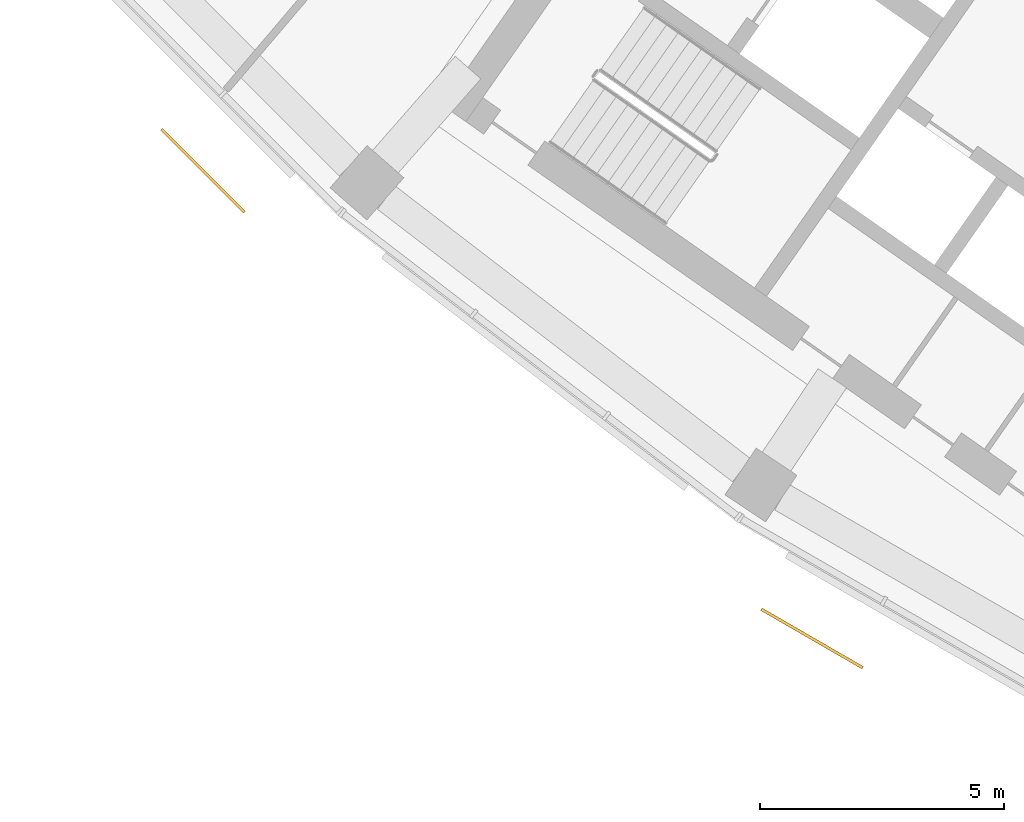
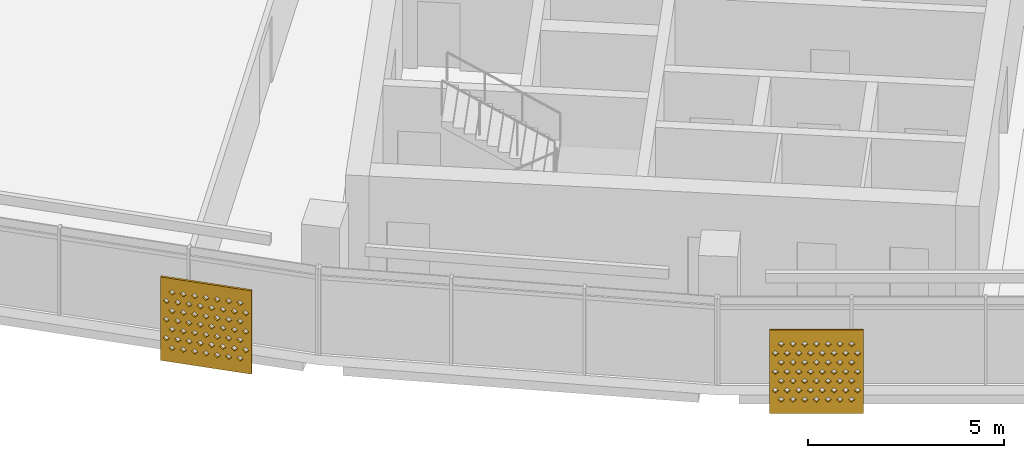
# One storey, part 23 of 28: 2 shading devices.
"""IFC4 building model written with IfcOpenShell, lengths in metres."""

from ifc_helpers import new_model, si_unit, direction, frame, origin, place, context, subcontext, project, spatial, polyline, outline, extrude, material, material_profile, profile_set, type_object, element, save


model = new_model("IFC4")

# Units and contexts
model_context = context("Model", 3, precision=1e-05, world=origin(), true_north=direction((0.0, 1.0)))
body_context = subcontext(model_context, "Body", "Model", "MODEL_VIEW")
ifc_project = project(units=[si_unit("LENGTHUNIT", "METRE"), si_unit("AREAUNIT", "SQUARE_METRE"), si_unit("VOLUMEUNIT", "CUBIC_METRE"), si_unit("PLANEANGLEUNIT", "RADIAN"), si_unit("MASSUNIT", "GRAM", prefix="KILO")], contexts=[model_context])

# Site, building, storey
site_placement = place(None, origin())
site = spatial("IfcSite", under=ifc_project, at=site_placement, CompositionType="ELEMENT")
building_placement = place(site_placement, origin())
building = spatial("IfcBuilding", under=site, at=building_placement, Name="Qamariyya Broadcast Tower", CompositionType="ELEMENT")
storey_placement = place(building_placement, frame((0.0, 0.0, 230.300048828125)))
storey = spatial("IfcBuildingStorey", under=building, at=storey_placement, Name="L55", CompositionType="ELEMENT", Elevation=230.300048828125)

# Shading devices
ifc_material = material(Name="Perforated glazed terracotta", Category="masonry")
ifc_material_profile = material_profile(ifc_material, outline(polyline([(-1.199951171875, -1.300048828125), (1.199951171875, -1.300048828125), (1.199951171875, 1.300048828125), (-1.199951171875, 1.300048828125), (-1.199951171875, -1.300048828125)]), holes=[polyline([(-0.81494140625, -0.86669921875), (-0.89990234375, -0.78173828125), (-0.985107421875, -0.86669921875), (-0.89990234375, -0.95166015625), (-0.81494140625, -0.86669921875)]), polyline([(-0.514892578125, -0.86669921875), (-0.60009765625, -0.78173828125), (-0.68505859375, -0.86669921875), (-0.60009765625, -0.95166015625), (-0.514892578125, -0.86669921875)]), polyline([(-0.215087890625, -0.86669921875), (-0.300048828125, -0.78173828125), (-0.385009765625, -0.86669921875), (-0.300048828125, -0.95166015625), (-0.215087890625, -0.86669921875)]), polyline([(0.0849609375, -0.86669921875), (0.0, -0.78173828125), (-0.0849609375, -0.86669921875), (0.0, -0.95166015625), (0.0849609375, -0.86669921875)]), polyline([(0.385009765625, -0.86669921875), (0.300048828125, -0.78173828125), (0.215087890625, -0.86669921875), (0.300048828125, -0.95166015625), (0.385009765625, -0.86669921875)]), polyline([(0.68505859375, -0.86669921875), (0.60009765625, -0.78173828125), (0.514892578125, -0.86669921875), (0.60009765625, -0.95166015625), (0.68505859375, -0.86669921875)]), polyline([(0.985107421875, -0.86669921875), (0.89990234375, -0.78173828125), (0.81494140625, -0.86669921875), (0.89990234375, -0.95166015625), (0.985107421875, -0.86669921875)]), polyline([(-0.965087890625, -0.577880859375), (-1.050048828125, -0.49267578125), (-1.135009765625, -0.577880859375), (-1.050048828125, -0.662841796875), (-0.965087890625, -0.577880859375)]), polyline([(-0.6650390625, -0.577880859375), (-0.75, -0.49267578125), (-0.8349609375, -0.577880859375), (-0.75, -0.662841796875), (-0.6650390625, -0.577880859375)]), polyline([(-0.364990234375, -0.577880859375), (-0.449951171875, -0.49267578125), (-0.534912109375, -0.577880859375), (-0.449951171875, -0.662841796875), (-0.364990234375, -0.577880859375)]), polyline([(-0.06494140625, -0.577880859375), (-0.14990234375, -0.49267578125), (-0.235107421875, -0.577880859375), (-0.14990234375, -0.662841796875), (-0.06494140625, -0.577880859375)]), polyline([(0.235107421875, -0.577880859375), (0.14990234375, -0.49267578125), (0.06494140625, -0.577880859375), (0.14990234375, -0.662841796875), (0.235107421875, -0.577880859375)]), polyline([(0.534912109375, -0.577880859375), (0.449951171875, -0.49267578125), (0.364990234375, -0.577880859375), (0.449951171875, -0.662841796875), (0.534912109375, -0.577880859375)]), polyline([(0.8349609375, -0.577880859375), (0.75, -0.49267578125), (0.6650390625, -0.577880859375), (0.75, -0.662841796875), (0.8349609375, -0.577880859375)]), polyline([(1.135009765625, -0.577880859375), (1.050048828125, -0.49267578125), (0.965087890625, -0.577880859375), (1.050048828125, -0.662841796875), (1.135009765625, -0.577880859375)]), polyline([(-0.81494140625, -0.288818359375), (-0.89990234375, -0.203857421875), (-0.985107421875, -0.288818359375), (-0.89990234375, -0.373779296875), (-0.81494140625, -0.288818359375)]), polyline([(-0.514892578125, -0.288818359375), (-0.60009765625, -0.203857421875), (-0.68505859375, -0.288818359375), (-0.60009765625, -0.373779296875), (-0.514892578125, -0.288818359375)]), polyline([(-0.215087890625, -0.288818359375), (-0.300048828125, -0.203857421875), (-0.385009765625, -0.288818359375), (-0.300048828125, -0.373779296875), (-0.215087890625, -0.288818359375)]), polyline([(0.0849609375, -0.288818359375), (0.0, -0.203857421875), (-0.0849609375, -0.288818359375), (0.0, -0.373779296875), (0.0849609375, -0.288818359375)]), polyline([(0.385009765625, -0.288818359375), (0.300048828125, -0.203857421875), (0.215087890625, -0.288818359375), (0.300048828125, -0.373779296875), (0.385009765625, -0.288818359375)]), polyline([(0.68505859375, -0.288818359375), (0.60009765625, -0.203857421875), (0.514892578125, -0.288818359375), (0.60009765625, -0.373779296875), (0.68505859375, -0.288818359375)]), polyline([(0.985107421875, -0.288818359375), (0.89990234375, -0.203857421875), (0.81494140625, -0.288818359375), (0.89990234375, -0.373779296875), (0.985107421875, -0.288818359375)]), polyline([(-0.965087890625, 0.0), (-1.050048828125, 0.0849609375), (-1.135009765625, 0.0), (-1.050048828125, -0.0849609375), (-0.965087890625, 0.0)]), polyline([(-0.6650390625, 0.0), (-0.75, 0.0849609375), (-0.8349609375, 0.0), (-0.75, -0.0849609375), (-0.6650390625, 0.0)]), polyline([(-0.364990234375, 0.0), (-0.449951171875, 0.0849609375), (-0.534912109375, 0.0), (-0.449951171875, -0.0849609375), (-0.364990234375, 0.0)]), polyline([(-0.06494140625, 0.0), (-0.14990234375, 0.0849609375), (-0.235107421875, 0.0), (-0.14990234375, -0.0849609375), (-0.06494140625, 0.0)]), polyline([(0.235107421875, 0.0), (0.14990234375, 0.0849609375), (0.06494140625, 0.0), (0.14990234375, -0.0849609375), (0.235107421875, 0.0)]), polyline([(0.534912109375, 0.0), (0.449951171875, 0.0849609375), (0.364990234375, 0.0), (0.449951171875, -0.0849609375), (0.534912109375, 0.0)]), polyline([(0.8349609375, 0.0), (0.75, 0.0849609375), (0.6650390625, 0.0), (0.75, -0.0849609375), (0.8349609375, 0.0)]), polyline([(1.135009765625, 0.0), (1.050048828125, 0.0849609375), (0.965087890625, 0.0), (1.050048828125, -0.0849609375), (1.135009765625, 0.0)]), polyline([(-0.81494140625, 0.288818359375), (-0.89990234375, 0.373779296875), (-0.985107421875, 0.288818359375), (-0.89990234375, 0.203857421875), (-0.81494140625, 0.288818359375)]), polyline([(-0.514892578125, 0.288818359375), (-0.60009765625, 0.373779296875), (-0.68505859375, 0.288818359375), (-0.60009765625, 0.203857421875), (-0.514892578125, 0.288818359375)]), polyline([(-0.215087890625, 0.288818359375), (-0.300048828125, 0.373779296875), (-0.385009765625, 0.288818359375), (-0.300048828125, 0.203857421875), (-0.215087890625, 0.288818359375)]), polyline([(0.0849609375, 0.288818359375), (0.0, 0.373779296875), (-0.0849609375, 0.288818359375), (0.0, 0.203857421875), (0.0849609375, 0.288818359375)]), polyline([(0.385009765625, 0.288818359375), (0.300048828125, 0.373779296875), (0.215087890625, 0.288818359375), (0.300048828125, 0.203857421875), (0.385009765625, 0.288818359375)]), polyline([(0.68505859375, 0.288818359375), (0.60009765625, 0.373779296875), (0.514892578125, 0.288818359375), (0.60009765625, 0.203857421875), (0.68505859375, 0.288818359375)]), polyline([(0.985107421875, 0.288818359375), (0.89990234375, 0.373779296875), (0.81494140625, 0.288818359375), (0.89990234375, 0.203857421875), (0.985107421875, 0.288818359375)]), polyline([(-0.965087890625, 0.577880859375), (-1.050048828125, 0.662841796875), (-1.135009765625, 0.577880859375), (-1.050048828125, 0.49267578125), (-0.965087890625, 0.577880859375)]), polyline([(-0.6650390625, 0.577880859375), (-0.75, 0.662841796875), (-0.8349609375, 0.577880859375), (-0.75, 0.49267578125), (-0.6650390625, 0.577880859375)]), polyline([(-0.364990234375, 0.577880859375), (-0.449951171875, 0.662841796875), (-0.534912109375, 0.577880859375), (-0.449951171875, 0.49267578125), (-0.364990234375, 0.577880859375)]), polyline([(-0.06494140625, 0.577880859375), (-0.14990234375, 0.662841796875), (-0.235107421875, 0.577880859375), (-0.14990234375, 0.49267578125), (-0.06494140625, 0.577880859375)]), polyline([(0.235107421875, 0.577880859375), (0.14990234375, 0.662841796875), (0.06494140625, 0.577880859375), (0.14990234375, 0.49267578125), (0.235107421875, 0.577880859375)]), polyline([(0.534912109375, 0.577880859375), (0.449951171875, 0.662841796875), (0.364990234375, 0.577880859375), (0.449951171875, 0.49267578125), (0.534912109375, 0.577880859375)]), polyline([(0.8349609375, 0.577880859375), (0.75, 0.662841796875), (0.6650390625, 0.577880859375), (0.75, 0.49267578125), (0.8349609375, 0.577880859375)]), polyline([(1.135009765625, 0.577880859375), (1.050048828125, 0.662841796875), (0.965087890625, 0.577880859375), (1.050048828125, 0.49267578125), (1.135009765625, 0.577880859375)]), polyline([(-0.81494140625, 0.86669921875), (-0.89990234375, 0.95166015625), (-0.985107421875, 0.86669921875), (-0.89990234375, 0.78173828125), (-0.81494140625, 0.86669921875)]), polyline([(-0.514892578125, 0.86669921875), (-0.60009765625, 0.95166015625), (-0.68505859375, 0.86669921875), (-0.60009765625, 0.78173828125), (-0.514892578125, 0.86669921875)]), polyline([(-0.215087890625, 0.86669921875), (-0.300048828125, 0.95166015625), (-0.385009765625, 0.86669921875), (-0.300048828125, 0.78173828125), (-0.215087890625, 0.86669921875)]), polyline([(0.0849609375, 0.86669921875), (0.0, 0.95166015625), (-0.0849609375, 0.86669921875), (0.0, 0.78173828125), (0.0849609375, 0.86669921875)]), polyline([(0.385009765625, 0.86669921875), (0.300048828125, 0.95166015625), (0.215087890625, 0.86669921875), (0.300048828125, 0.78173828125), (0.385009765625, 0.86669921875)]), polyline([(0.68505859375, 0.86669921875), (0.60009765625, 0.95166015625), (0.514892578125, 0.86669921875), (0.60009765625, 0.78173828125), (0.68505859375, 0.86669921875)]), polyline([(0.985107421875, 0.86669921875), (0.89990234375, 0.95166015625), (0.81494140625, 0.86669921875), (0.89990234375, 0.78173828125), (0.985107421875, 0.86669921875)])]))
ifc_profile_set = profile_set([ifc_material_profile], Name="Perforated glazed terracotta")
shading_device_type = type_object("IfcShadingDeviceType", Name="Perforated terracotta screen 2400 x 2600", PredefinedType="USERDEFINED", material=ifc_profile_set)
shading_device_1_placement = place(storey_placement, frame((-54.599609375, -58.18603515625, 1.349853515625), z_axis=(-0.707106781187, -0.707106781187, 0.0), x_axis=(0.707106781187, -0.707106781187, 0.0)))
element("IfcShadingDevice", 1, at=shading_device_1_placement, inside=storey, type_object=shading_device_type, Name="e-scr-L55-02-2", ObjectType="SCREEN", PredefinedType="USERDEFINED", context=body_context, shape_type="SweptSolid", body=[
    extrude(outline(polyline([(-1.199951171875, -1.300048828125), (1.199951171875, -1.300048828125), (1.199951171875, 1.300048828125), (-1.199951171875, 1.300048828125), (-1.199951171875, -1.300048828125)]), holes=[polyline([(-0.81494140625, -0.86669921875), (-0.89990234375, -0.78173828125), (-0.985107421875, -0.86669921875), (-0.89990234375, -0.95166015625), (-0.81494140625, -0.86669921875)]), polyline([(-0.514892578125, -0.86669921875), (-0.60009765625, -0.78173828125), (-0.68505859375, -0.86669921875), (-0.60009765625, -0.95166015625), (-0.514892578125, -0.86669921875)]), polyline([(-0.215087890625, -0.86669921875), (-0.300048828125, -0.78173828125), (-0.385009765625, -0.86669921875), (-0.300048828125, -0.95166015625), (-0.215087890625, -0.86669921875)]), polyline([(0.0849609375, -0.86669921875), (0.0, -0.78173828125), (-0.0849609375, -0.86669921875), (0.0, -0.95166015625), (0.0849609375, -0.86669921875)]), polyline([(0.385009765625, -0.86669921875), (0.300048828125, -0.78173828125), (0.215087890625, -0.86669921875), (0.300048828125, -0.95166015625), (0.385009765625, -0.86669921875)]), polyline([(0.68505859375, -0.86669921875), (0.60009765625, -0.78173828125), (0.514892578125, -0.86669921875), (0.60009765625, -0.95166015625), (0.68505859375, -0.86669921875)]), polyline([(0.985107421875, -0.86669921875), (0.89990234375, -0.78173828125), (0.81494140625, -0.86669921875), (0.89990234375, -0.95166015625), (0.985107421875, -0.86669921875)]), polyline([(-0.965087890625, -0.577880859375), (-1.050048828125, -0.49267578125), (-1.135009765625, -0.577880859375), (-1.050048828125, -0.662841796875), (-0.965087890625, -0.577880859375)]), polyline([(-0.6650390625, -0.577880859375), (-0.75, -0.49267578125), (-0.8349609375, -0.577880859375), (-0.75, -0.662841796875), (-0.6650390625, -0.577880859375)]), polyline([(-0.364990234375, -0.577880859375), (-0.449951171875, -0.49267578125), (-0.534912109375, -0.577880859375), (-0.449951171875, -0.662841796875), (-0.364990234375, -0.577880859375)]), polyline([(-0.06494140625, -0.577880859375), (-0.14990234375, -0.49267578125), (-0.235107421875, -0.577880859375), (-0.14990234375, -0.662841796875), (-0.06494140625, -0.577880859375)]), polyline([(0.235107421875, -0.577880859375), (0.14990234375, -0.49267578125), (0.06494140625, -0.577880859375), (0.14990234375, -0.662841796875), (0.235107421875, -0.577880859375)]), polyline([(0.534912109375, -0.577880859375), (0.449951171875, -0.49267578125), (0.364990234375, -0.577880859375), (0.449951171875, -0.662841796875), (0.534912109375, -0.577880859375)]), polyline([(0.8349609375, -0.577880859375), (0.75, -0.49267578125), (0.6650390625, -0.577880859375), (0.75, -0.662841796875), (0.8349609375, -0.577880859375)]), polyline([(1.135009765625, -0.577880859375), (1.050048828125, -0.49267578125), (0.965087890625, -0.577880859375), (1.050048828125, -0.662841796875), (1.135009765625, -0.577880859375)]), polyline([(-0.81494140625, -0.288818359375), (-0.89990234375, -0.203857421875), (-0.985107421875, -0.288818359375), (-0.89990234375, -0.373779296875), (-0.81494140625, -0.288818359375)]), polyline([(-0.514892578125, -0.288818359375), (-0.60009765625, -0.203857421875), (-0.68505859375, -0.288818359375), (-0.60009765625, -0.373779296875), (-0.514892578125, -0.288818359375)]), polyline([(-0.215087890625, -0.288818359375), (-0.300048828125, -0.203857421875), (-0.385009765625, -0.288818359375), (-0.300048828125, -0.373779296875), (-0.215087890625, -0.288818359375)]), polyline([(0.0849609375, -0.288818359375), (0.0, -0.203857421875), (-0.0849609375, -0.288818359375), (0.0, -0.373779296875), (0.0849609375, -0.288818359375)]), polyline([(0.385009765625, -0.288818359375), (0.300048828125, -0.203857421875), (0.215087890625, -0.288818359375), (0.300048828125, -0.373779296875), (0.385009765625, -0.288818359375)]), polyline([(0.68505859375, -0.288818359375), (0.60009765625, -0.203857421875), (0.514892578125, -0.288818359375), (0.60009765625, -0.373779296875), (0.68505859375, -0.288818359375)]), polyline([(0.985107421875, -0.288818359375), (0.89990234375, -0.203857421875), (0.81494140625, -0.288818359375), (0.89990234375, -0.373779296875), (0.985107421875, -0.288818359375)]), polyline([(-0.965087890625, 0.0), (-1.050048828125, 0.0849609375), (-1.135009765625, 0.0), (-1.050048828125, -0.0849609375), (-0.965087890625, 0.0)]), polyline([(-0.6650390625, 0.0), (-0.75, 0.0849609375), (-0.8349609375, 0.0), (-0.75, -0.0849609375), (-0.6650390625, 0.0)]), polyline([(-0.364990234375, 0.0), (-0.449951171875, 0.0849609375), (-0.534912109375, 0.0), (-0.449951171875, -0.0849609375), (-0.364990234375, 0.0)]), polyline([(-0.06494140625, 0.0), (-0.14990234375, 0.0849609375), (-0.235107421875, 0.0), (-0.14990234375, -0.0849609375), (-0.06494140625, 0.0)]), polyline([(0.235107421875, 0.0), (0.14990234375, 0.0849609375), (0.06494140625, 0.0), (0.14990234375, -0.0849609375), (0.235107421875, 0.0)]), polyline([(0.534912109375, 0.0), (0.449951171875, 0.0849609375), (0.364990234375, 0.0), (0.449951171875, -0.0849609375), (0.534912109375, 0.0)]), polyline([(0.8349609375, 0.0), (0.75, 0.0849609375), (0.6650390625, 0.0), (0.75, -0.0849609375), (0.8349609375, 0.0)]), polyline([(1.135009765625, 0.0), (1.050048828125, 0.0849609375), (0.965087890625, 0.0), (1.050048828125, -0.0849609375), (1.135009765625, 0.0)]), polyline([(-0.81494140625, 0.288818359375), (-0.89990234375, 0.373779296875), (-0.985107421875, 0.288818359375), (-0.89990234375, 0.203857421875), (-0.81494140625, 0.288818359375)]), polyline([(-0.514892578125, 0.288818359375), (-0.60009765625, 0.373779296875), (-0.68505859375, 0.288818359375), (-0.60009765625, 0.203857421875), (-0.514892578125, 0.288818359375)]), polyline([(-0.215087890625, 0.288818359375), (-0.300048828125, 0.373779296875), (-0.385009765625, 0.288818359375), (-0.300048828125, 0.203857421875), (-0.215087890625, 0.288818359375)]), polyline([(0.0849609375, 0.288818359375), (0.0, 0.373779296875), (-0.0849609375, 0.288818359375), (0.0, 0.203857421875), (0.0849609375, 0.288818359375)]), polyline([(0.385009765625, 0.288818359375), (0.300048828125, 0.373779296875), (0.215087890625, 0.288818359375), (0.300048828125, 0.203857421875), (0.385009765625, 0.288818359375)]), polyline([(0.68505859375, 0.288818359375), (0.60009765625, 0.373779296875), (0.514892578125, 0.288818359375), (0.60009765625, 0.203857421875), (0.68505859375, 0.288818359375)]), polyline([(0.985107421875, 0.288818359375), (0.89990234375, 0.373779296875), (0.81494140625, 0.288818359375), (0.89990234375, 0.203857421875), (0.985107421875, 0.288818359375)]), polyline([(-0.965087890625, 0.577880859375), (-1.050048828125, 0.662841796875), (-1.135009765625, 0.577880859375), (-1.050048828125, 0.49267578125), (-0.965087890625, 0.577880859375)]), polyline([(-0.6650390625, 0.577880859375), (-0.75, 0.662841796875), (-0.8349609375, 0.577880859375), (-0.75, 0.49267578125), (-0.6650390625, 0.577880859375)]), polyline([(-0.364990234375, 0.577880859375), (-0.449951171875, 0.662841796875), (-0.534912109375, 0.577880859375), (-0.449951171875, 0.49267578125), (-0.364990234375, 0.577880859375)]), polyline([(-0.06494140625, 0.577880859375), (-0.14990234375, 0.662841796875), (-0.235107421875, 0.577880859375), (-0.14990234375, 0.49267578125), (-0.06494140625, 0.577880859375)]), polyline([(0.235107421875, 0.577880859375), (0.14990234375, 0.662841796875), (0.06494140625, 0.577880859375), (0.14990234375, 0.49267578125), (0.235107421875, 0.577880859375)]), polyline([(0.534912109375, 0.577880859375), (0.449951171875, 0.662841796875), (0.364990234375, 0.577880859375), (0.449951171875, 0.49267578125), (0.534912109375, 0.577880859375)]), polyline([(0.8349609375, 0.577880859375), (0.75, 0.662841796875), (0.6650390625, 0.577880859375), (0.75, 0.49267578125), (0.8349609375, 0.577880859375)]), polyline([(1.135009765625, 0.577880859375), (1.050048828125, 0.662841796875), (0.965087890625, 0.577880859375), (1.050048828125, 0.49267578125), (1.135009765625, 0.577880859375)]), polyline([(-0.81494140625, 0.86669921875), (-0.89990234375, 0.95166015625), (-0.985107421875, 0.86669921875), (-0.89990234375, 0.78173828125), (-0.81494140625, 0.86669921875)]), polyline([(-0.514892578125, 0.86669921875), (-0.60009765625, 0.95166015625), (-0.68505859375, 0.86669921875), (-0.60009765625, 0.78173828125), (-0.514892578125, 0.86669921875)]), polyline([(-0.215087890625, 0.86669921875), (-0.300048828125, 0.95166015625), (-0.385009765625, 0.86669921875), (-0.300048828125, 0.78173828125), (-0.215087890625, 0.86669921875)]), polyline([(0.0849609375, 0.86669921875), (0.0, 0.95166015625), (-0.0849609375, 0.86669921875), (0.0, 0.78173828125), (0.0849609375, 0.86669921875)]), polyline([(0.385009765625, 0.86669921875), (0.300048828125, 0.95166015625), (0.215087890625, 0.86669921875), (0.300048828125, 0.78173828125), (0.385009765625, 0.86669921875)]), polyline([(0.68505859375, 0.86669921875), (0.60009765625, 0.95166015625), (0.514892578125, 0.86669921875), (0.60009765625, 0.78173828125), (0.68505859375, 0.86669921875)]), polyline([(0.985107421875, 0.86669921875), (0.89990234375, 0.95166015625), (0.81494140625, 0.86669921875), (0.89990234375, 0.78173828125), (0.985107421875, 0.86669921875)])]), origin(), (0.0, 0.0, 1.0), 0.06005859375),
])
shading_device_2_placement = place(storey_placement, frame((-42.13427734375, -67.762939453125, 1.349853515625), z_axis=(-0.500074377092, -0.865982457891, 0.0), x_axis=(0.865982457891, -0.500074377092, 0.0)))
element("IfcShadingDevice", 2, at=shading_device_2_placement, inside=storey, type_object=shading_device_type, Name="e-scr-L55-04-0", ObjectType="SCREEN", PredefinedType="USERDEFINED", context=body_context, shape_type="SweptSolid", body=[
    extrude(outline(polyline([(-1.199951171875, -1.300048828125), (1.199951171875, -1.300048828125), (1.199951171875, 1.300048828125), (-1.199951171875, 1.300048828125), (-1.199951171875, -1.300048828125)]), holes=[polyline([(-0.81494140625, -0.86669921875), (-0.89990234375, -0.78173828125), (-0.985107421875, -0.86669921875), (-0.89990234375, -0.95166015625), (-0.81494140625, -0.86669921875)]), polyline([(-0.514892578125, -0.86669921875), (-0.60009765625, -0.78173828125), (-0.68505859375, -0.86669921875), (-0.60009765625, -0.95166015625), (-0.514892578125, -0.86669921875)]), polyline([(-0.215087890625, -0.86669921875), (-0.300048828125, -0.78173828125), (-0.385009765625, -0.86669921875), (-0.300048828125, -0.95166015625), (-0.215087890625, -0.86669921875)]), polyline([(0.0849609375, -0.86669921875), (0.0, -0.78173828125), (-0.0849609375, -0.86669921875), (0.0, -0.95166015625), (0.0849609375, -0.86669921875)]), polyline([(0.385009765625, -0.86669921875), (0.300048828125, -0.78173828125), (0.215087890625, -0.86669921875), (0.300048828125, -0.95166015625), (0.385009765625, -0.86669921875)]), polyline([(0.68505859375, -0.86669921875), (0.60009765625, -0.78173828125), (0.514892578125, -0.86669921875), (0.60009765625, -0.95166015625), (0.68505859375, -0.86669921875)]), polyline([(0.985107421875, -0.86669921875), (0.89990234375, -0.78173828125), (0.81494140625, -0.86669921875), (0.89990234375, -0.95166015625), (0.985107421875, -0.86669921875)]), polyline([(-0.965087890625, -0.577880859375), (-1.050048828125, -0.49267578125), (-1.135009765625, -0.577880859375), (-1.050048828125, -0.662841796875), (-0.965087890625, -0.577880859375)]), polyline([(-0.6650390625, -0.577880859375), (-0.75, -0.49267578125), (-0.8349609375, -0.577880859375), (-0.75, -0.662841796875), (-0.6650390625, -0.577880859375)]), polyline([(-0.364990234375, -0.577880859375), (-0.449951171875, -0.49267578125), (-0.534912109375, -0.577880859375), (-0.449951171875, -0.662841796875), (-0.364990234375, -0.577880859375)]), polyline([(-0.06494140625, -0.577880859375), (-0.14990234375, -0.49267578125), (-0.235107421875, -0.577880859375), (-0.14990234375, -0.662841796875), (-0.06494140625, -0.577880859375)]), polyline([(0.235107421875, -0.577880859375), (0.14990234375, -0.49267578125), (0.06494140625, -0.577880859375), (0.14990234375, -0.662841796875), (0.235107421875, -0.577880859375)]), polyline([(0.534912109375, -0.577880859375), (0.449951171875, -0.49267578125), (0.364990234375, -0.577880859375), (0.449951171875, -0.662841796875), (0.534912109375, -0.577880859375)]), polyline([(0.8349609375, -0.577880859375), (0.75, -0.49267578125), (0.6650390625, -0.577880859375), (0.75, -0.662841796875), (0.8349609375, -0.577880859375)]), polyline([(1.135009765625, -0.577880859375), (1.050048828125, -0.49267578125), (0.965087890625, -0.577880859375), (1.050048828125, -0.662841796875), (1.135009765625, -0.577880859375)]), polyline([(-0.81494140625, -0.288818359375), (-0.89990234375, -0.203857421875), (-0.985107421875, -0.288818359375), (-0.89990234375, -0.373779296875), (-0.81494140625, -0.288818359375)]), polyline([(-0.514892578125, -0.288818359375), (-0.60009765625, -0.203857421875), (-0.68505859375, -0.288818359375), (-0.60009765625, -0.373779296875), (-0.514892578125, -0.288818359375)]), polyline([(-0.215087890625, -0.288818359375), (-0.300048828125, -0.203857421875), (-0.385009765625, -0.288818359375), (-0.300048828125, -0.373779296875), (-0.215087890625, -0.288818359375)]), polyline([(0.0849609375, -0.288818359375), (0.0, -0.203857421875), (-0.0849609375, -0.288818359375), (0.0, -0.373779296875), (0.0849609375, -0.288818359375)]), polyline([(0.385009765625, -0.288818359375), (0.300048828125, -0.203857421875), (0.215087890625, -0.288818359375), (0.300048828125, -0.373779296875), (0.385009765625, -0.288818359375)]), polyline([(0.68505859375, -0.288818359375), (0.60009765625, -0.203857421875), (0.514892578125, -0.288818359375), (0.60009765625, -0.373779296875), (0.68505859375, -0.288818359375)]), polyline([(0.985107421875, -0.288818359375), (0.89990234375, -0.203857421875), (0.81494140625, -0.288818359375), (0.89990234375, -0.373779296875), (0.985107421875, -0.288818359375)]), polyline([(-0.965087890625, 0.0), (-1.050048828125, 0.0849609375), (-1.135009765625, 0.0), (-1.050048828125, -0.0849609375), (-0.965087890625, 0.0)]), polyline([(-0.6650390625, 0.0), (-0.75, 0.0849609375), (-0.8349609375, 0.0), (-0.75, -0.0849609375), (-0.6650390625, 0.0)]), polyline([(-0.364990234375, 0.0), (-0.449951171875, 0.0849609375), (-0.534912109375, 0.0), (-0.449951171875, -0.0849609375), (-0.364990234375, 0.0)]), polyline([(-0.06494140625, 0.0), (-0.14990234375, 0.0849609375), (-0.235107421875, 0.0), (-0.14990234375, -0.0849609375), (-0.06494140625, 0.0)]), polyline([(0.235107421875, 0.0), (0.14990234375, 0.0849609375), (0.06494140625, 0.0), (0.14990234375, -0.0849609375), (0.235107421875, 0.0)]), polyline([(0.534912109375, 0.0), (0.449951171875, 0.0849609375), (0.364990234375, 0.0), (0.449951171875, -0.0849609375), (0.534912109375, 0.0)]), polyline([(0.8349609375, 0.0), (0.75, 0.0849609375), (0.6650390625, 0.0), (0.75, -0.0849609375), (0.8349609375, 0.0)]), polyline([(1.135009765625, 0.0), (1.050048828125, 0.0849609375), (0.965087890625, 0.0), (1.050048828125, -0.0849609375), (1.135009765625, 0.0)]), polyline([(-0.81494140625, 0.288818359375), (-0.89990234375, 0.373779296875), (-0.985107421875, 0.288818359375), (-0.89990234375, 0.203857421875), (-0.81494140625, 0.288818359375)]), polyline([(-0.514892578125, 0.288818359375), (-0.60009765625, 0.373779296875), (-0.68505859375, 0.288818359375), (-0.60009765625, 0.203857421875), (-0.514892578125, 0.288818359375)]), polyline([(-0.215087890625, 0.288818359375), (-0.300048828125, 0.373779296875), (-0.385009765625, 0.288818359375), (-0.300048828125, 0.203857421875), (-0.215087890625, 0.288818359375)]), polyline([(0.0849609375, 0.288818359375), (0.0, 0.373779296875), (-0.0849609375, 0.288818359375), (0.0, 0.203857421875), (0.0849609375, 0.288818359375)]), polyline([(0.385009765625, 0.288818359375), (0.300048828125, 0.373779296875), (0.215087890625, 0.288818359375), (0.300048828125, 0.203857421875), (0.385009765625, 0.288818359375)]), polyline([(0.68505859375, 0.288818359375), (0.60009765625, 0.373779296875), (0.514892578125, 0.288818359375), (0.60009765625, 0.203857421875), (0.68505859375, 0.288818359375)]), polyline([(0.985107421875, 0.288818359375), (0.89990234375, 0.373779296875), (0.81494140625, 0.288818359375), (0.89990234375, 0.203857421875), (0.985107421875, 0.288818359375)]), polyline([(-0.965087890625, 0.577880859375), (-1.050048828125, 0.662841796875), (-1.135009765625, 0.577880859375), (-1.050048828125, 0.49267578125), (-0.965087890625, 0.577880859375)]), polyline([(-0.6650390625, 0.577880859375), (-0.75, 0.662841796875), (-0.8349609375, 0.577880859375), (-0.75, 0.49267578125), (-0.6650390625, 0.577880859375)]), polyline([(-0.364990234375, 0.577880859375), (-0.449951171875, 0.662841796875), (-0.534912109375, 0.577880859375), (-0.449951171875, 0.49267578125), (-0.364990234375, 0.577880859375)]), polyline([(-0.06494140625, 0.577880859375), (-0.14990234375, 0.662841796875), (-0.235107421875, 0.577880859375), (-0.14990234375, 0.49267578125), (-0.06494140625, 0.577880859375)]), polyline([(0.235107421875, 0.577880859375), (0.14990234375, 0.662841796875), (0.06494140625, 0.577880859375), (0.14990234375, 0.49267578125), (0.235107421875, 0.577880859375)]), polyline([(0.534912109375, 0.577880859375), (0.449951171875, 0.662841796875), (0.364990234375, 0.577880859375), (0.449951171875, 0.49267578125), (0.534912109375, 0.577880859375)]), polyline([(0.8349609375, 0.577880859375), (0.75, 0.662841796875), (0.6650390625, 0.577880859375), (0.75, 0.49267578125), (0.8349609375, 0.577880859375)]), polyline([(1.135009765625, 0.577880859375), (1.050048828125, 0.662841796875), (0.965087890625, 0.577880859375), (1.050048828125, 0.49267578125), (1.135009765625, 0.577880859375)]), polyline([(-0.81494140625, 0.86669921875), (-0.89990234375, 0.95166015625), (-0.985107421875, 0.86669921875), (-0.89990234375, 0.78173828125), (-0.81494140625, 0.86669921875)]), polyline([(-0.514892578125, 0.86669921875), (-0.60009765625, 0.95166015625), (-0.68505859375, 0.86669921875), (-0.60009765625, 0.78173828125), (-0.514892578125, 0.86669921875)]), polyline([(-0.215087890625, 0.86669921875), (-0.300048828125, 0.95166015625), (-0.385009765625, 0.86669921875), (-0.300048828125, 0.78173828125), (-0.215087890625, 0.86669921875)]), polyline([(0.0849609375, 0.86669921875), (0.0, 0.95166015625), (-0.0849609375, 0.86669921875), (0.0, 0.78173828125), (0.0849609375, 0.86669921875)]), polyline([(0.385009765625, 0.86669921875), (0.300048828125, 0.95166015625), (0.215087890625, 0.86669921875), (0.300048828125, 0.78173828125), (0.385009765625, 0.86669921875)]), polyline([(0.68505859375, 0.86669921875), (0.60009765625, 0.95166015625), (0.514892578125, 0.86669921875), (0.60009765625, 0.78173828125), (0.68505859375, 0.86669921875)]), polyline([(0.985107421875, 0.86669921875), (0.89990234375, 0.95166015625), (0.81494140625, 0.86669921875), (0.89990234375, 0.78173828125), (0.985107421875, 0.86669921875)])]), origin(), (0.0, 0.0, 1.0), 0.06005859375),
])

save(model, "model.ifc")
